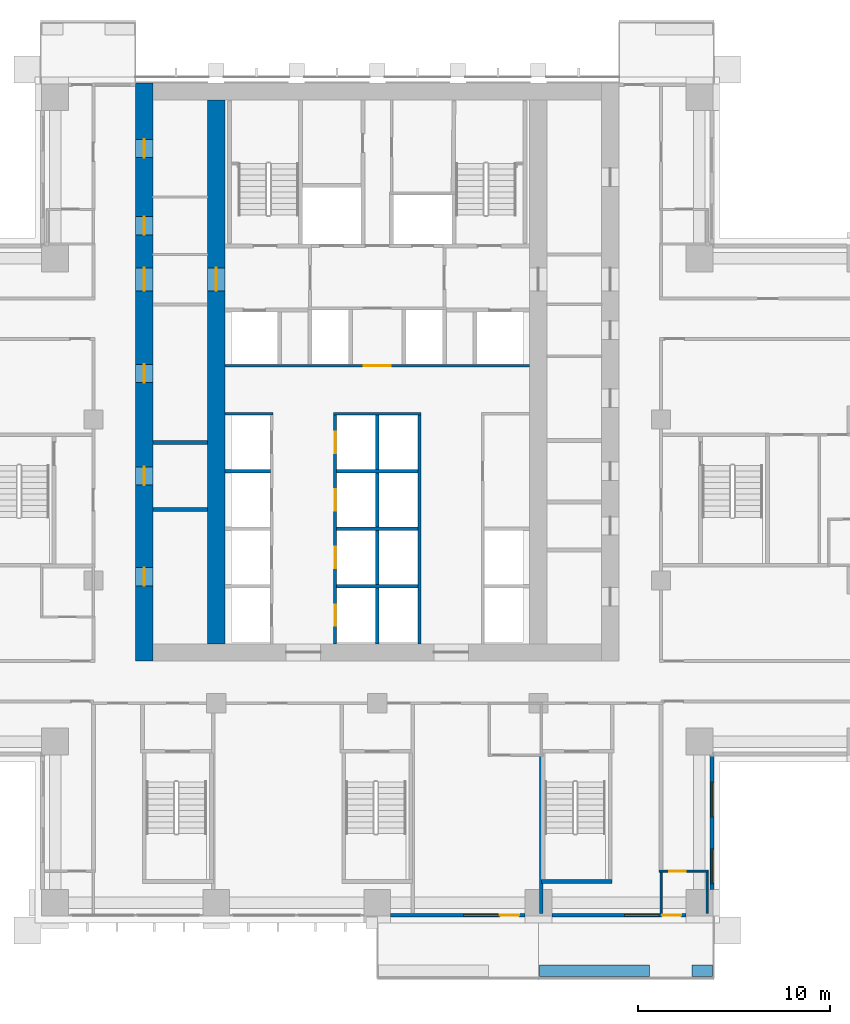
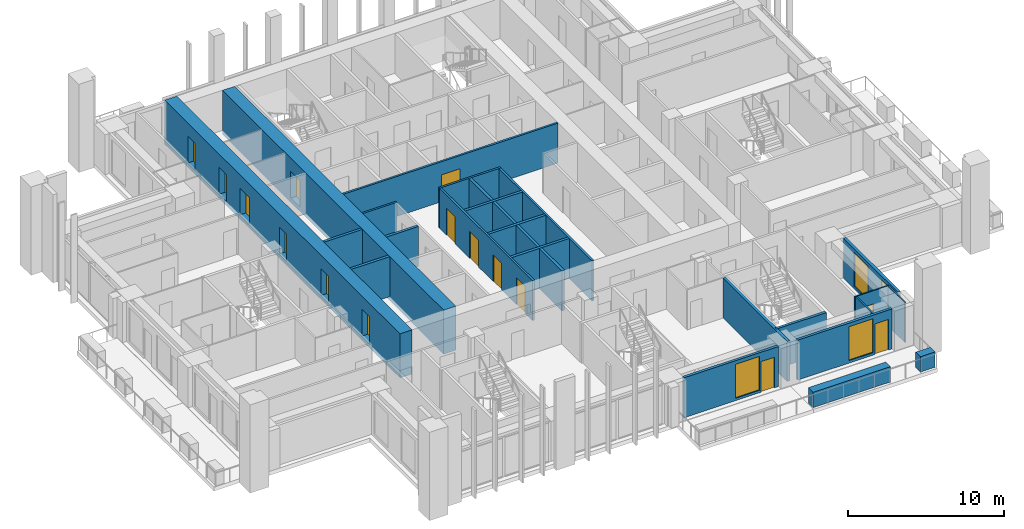
# One storey, part 10 of 19: 24 walls, 15 doors, 4 windows, 19 openings.
"""IFC4 building model written with IfcOpenShell, lengths in metres."""

from ifc_helpers import new_model, si_unit, direction, frame, frame_2d, origin, place, context, subcontext, project, spatial, rectangle, extrude, material, layer, layer_set, type_object, element, fill, save


model = new_model("IFC4")

# Units and contexts
model_context = context("Model", 3, precision=1e-05, world=origin(), true_north=direction((0.0, 1.0)))
body_context = subcontext(model_context, "Body", "Model", "MODEL_VIEW")
ifc_project = project(units=[si_unit("LENGTHUNIT", "METRE"), si_unit("AREAUNIT", "SQUARE_METRE"), si_unit("VOLUMEUNIT", "CUBIC_METRE"), si_unit("PLANEANGLEUNIT", "RADIAN"), si_unit("MASSUNIT", "GRAM", prefix="KILO")], contexts=[model_context])

# Site, building, storey
site_placement = place(None, origin())
site = spatial("IfcSite", under=ifc_project, at=site_placement, CompositionType="ELEMENT")
building_placement = place(site_placement, origin())
building = spatial("IfcBuilding", under=site, at=building_placement, Name="Vermilion Ogive Tower", CompositionType="ELEMENT")
storey_placement = place(building_placement, frame((0.0, 0.0, 48.300048828125)))
storey = spatial("IfcBuildingStorey", under=building, at=storey_placement, Name="L10", CompositionType="ELEMENT", Elevation=48.300048828125)

# Wall, openings, doors
ifc_material_1 = material(Name="Concrete B80", Category="concrete")
ifc_layer_1 = layer(ifc_material_1, 0.89990234375)
ifc_layer_set_1 = layer_set([ifc_layer_1], Name="Core wall 900 B80")
wall_type_1 = type_object("IfcWallType", Name="Core wall 900 B80", PredefinedType="SHEAR", material=ifc_layer_set_1)
wall_1_placement = place(storey_placement, frame((-12.14990234375, -8.39990234375, -0.320068359375), z_axis=(0.0, 0.0, 1.0), x_axis=(0.0, 1.0, 0.0)))
wall_1 = element("IfcWall", 1, at=wall_1_placement, inside=storey, type_object=wall_type_1, Name="L10-CORE-W", PredefinedType="SHEAR", context=body_context, shape_type="SweptSolid", body=[
    extrude(rectangle(XDim=30.14990234375, YDim=0.89990234375, at=frame_2d((15.074951171875, 0.0))), origin(), (0.0, 0.0, 1.0), 3.449951171875),
])
opening_1_placement = place(wall_1_placement, frame((3.925048828125, 0.0, 0.320068359375)))
opening_1 = element("IfcOpeningElement", 2, at=opening_1_placement, cuts=wall_1, Name="Opening DAD012", PredefinedType="OPENING", context=body_context, shape_type="SweptSolid", body=[
    extrude(rectangle(XDim=0.949951171875, YDim=2.10009765625, at=frame_2d((0.47509765625, 1.050048828125))), frame((0.0, 0.4599609375, 0.0), z_axis=(0.0, -1.0, 0.0), x_axis=(1.0, 0.0, 0.0)), (0.0, 0.0, 1.0), 0.919921875),
])
opening_2_placement = place(wall_1_placement, frame((9.175048828125, 0.0, 0.320068359375)))
opening_2 = element("IfcOpeningElement", 3, at=opening_2_placement, cuts=wall_1, Name="Opening DAD013", PredefinedType="OPENING", context=body_context, shape_type="SweptSolid", body=[
    extrude(rectangle(XDim=0.949951171875, YDim=2.10009765625, at=frame_2d((0.47509765625, 1.050048828125))), frame((0.0, 0.4599609375, 0.0), z_axis=(0.0, -1.0, 0.0), x_axis=(1.0, 0.0, 0.0)), (0.0, 0.0, 1.0), 0.919921875),
])
opening_3_placement = place(wall_1_placement, frame((14.52490234375, 0.0, 0.320068359375)))
opening_3 = element("IfcOpeningElement", 4, at=opening_3_placement, cuts=wall_1, Name="Opening DAD014", PredefinedType="OPENING", context=body_context, shape_type="SweptSolid", body=[
    extrude(rectangle(XDim=0.949951171875, YDim=2.10009765625, at=frame_2d((0.47509765625, 1.050048828125))), frame((0.0, 0.4599609375, 0.0), z_axis=(0.0, -1.0, 0.0), x_axis=(1.0, 0.0, 0.0)), (0.0, 0.0, 1.0), 0.919921875),
])
opening_4_placement = place(wall_1_placement, frame((22.22509765625, 0.0, 0.320068359375)))
opening_4 = element("IfcOpeningElement", 5, at=opening_4_placement, cuts=wall_1, Name="Opening DAD015", PredefinedType="OPENING", context=body_context, shape_type="SweptSolid", body=[
    extrude(rectangle(XDim=0.949951171875, YDim=2.10009765625, at=frame_2d((0.47509765625, 1.050048828125))), frame((0.0, 0.4599609375, 0.0), z_axis=(0.0, -1.0, 0.0), x_axis=(1.0, 0.0, 0.0)), (0.0, 0.0, 1.0), 0.919921875),
])
opening_5_placement = place(wall_1_placement, frame((26.25, 0.0, 0.320068359375)))
opening_5 = element("IfcOpeningElement", 6, at=opening_5_placement, cuts=wall_1, Name="Opening DAD016", PredefinedType="OPENING", context=body_context, shape_type="SweptSolid", body=[
    extrude(rectangle(XDim=0.949951171875, YDim=2.10009765625, at=frame_2d((0.47509765625, 1.050048828125))), frame((0.0, 0.4599609375, 0.0), z_axis=(0.0, -1.0, 0.0), x_axis=(1.0, 0.0, 0.0)), (0.0, 0.0, 1.0), 0.919921875),
])
opening_6_placement = place(wall_1_placement, frame((19.300048828125, 0.0, 0.320068359375)))
opening_6 = element("IfcOpeningElement", 7, at=opening_6_placement, cuts=wall_1, Name="Opening DAM003", PredefinedType="OPENING", context=body_context, shape_type="SweptSolid", body=[
    extrude(rectangle(XDim=1.199951171875, YDim=2.10009765625, at=frame_2d((0.60009765625, 1.050048828125))), frame((0.0, 0.4599609375, 0.0), z_axis=(0.0, -1.0, 0.0), x_axis=(1.0, 0.0, 0.0)), (0.0, 0.0, 1.0), 0.919921875),
])
ifc_material_2 = material(Name="Timber door leaf", Category="wood")
door_type_1 = type_object("IfcDoorType", Name="Link door 1200 x 2100 FD60S", OperationType="SINGLE_SWING_LEFT", PredefinedType="DOOR", material=ifc_material_2)
door_1_placement = place(opening_6_placement, origin())
door_1 = element("IfcDoor", 8, at=door_1_placement, inside=storey, type_object=door_type_1, Name="L10-CKW-XL", OperationType="SINGLE_SWING_LEFT", OverallHeight=2.10009765625, OverallWidth=1.199951171875, PredefinedType="DOOR", context=body_context, shape_type="SweptSolid", body=[
    extrude(rectangle(XDim=1.199951171875, YDim=2.10009765625, at=frame_2d((0.60009765625, 1.050048828125))), frame((0.0, 0.02490234375, 0.0), z_axis=(0.0, -1.0, 0.0), x_axis=(1.0, 0.0, 0.0)), (0.0, 0.0, 1.0), 0.050048828125),
])
fill(opening_6, door_1)
ifc_material_3 = material(Name="Timber door leaf", Category="wood")
door_type_2 = type_object("IfcDoorType", Name="Service door 950 x 2100 FD60", OperationType="SINGLE_SWING_LEFT", PredefinedType="DOOR", material=ifc_material_3)
door_2_placement = place(opening_1_placement, origin())
door_2 = element("IfcDoor", 9, at=door_2_placement, inside=storey, type_object=door_type_2, Name="L10-CKW-XR0", OperationType="SINGLE_SWING_LEFT", OverallHeight=2.10009765625, OverallWidth=0.949951171875, PredefinedType="DOOR", context=body_context, shape_type="SweptSolid", body=[
    extrude(rectangle(XDim=0.949951171875, YDim=2.10009765625, at=frame_2d((0.47509765625, 1.050048828125))), frame((0.0, 0.02490234375, 0.0), z_axis=(0.0, -1.0, 0.0), x_axis=(1.0, 0.0, 0.0)), (0.0, 0.0, 1.0), 0.050048828125),
])
fill(opening_1, door_2)
door_3_placement = place(opening_2_placement, origin())
door_3 = element("IfcDoor", 10, at=door_3_placement, inside=storey, type_object=door_type_2, Name="L10-CKW-XR1", OperationType="SINGLE_SWING_LEFT", OverallHeight=2.10009765625, OverallWidth=0.949951171875, PredefinedType="DOOR", context=body_context, shape_type="SweptSolid", body=[
    extrude(rectangle(XDim=0.949951171875, YDim=2.10009765625, at=frame_2d((0.47509765625, 1.050048828125))), frame((0.0, 0.02490234375, 0.0), z_axis=(0.0, -1.0, 0.0), x_axis=(1.0, 0.0, 0.0)), (0.0, 0.0, 1.0), 0.050048828125),
])
fill(opening_2, door_3)
door_4_placement = place(opening_3_placement, origin())
door_4 = element("IfcDoor", 11, at=door_4_placement, inside=storey, type_object=door_type_2, Name="L10-CKW-XR2", OperationType="SINGLE_SWING_LEFT", OverallHeight=2.10009765625, OverallWidth=0.949951171875, PredefinedType="DOOR", context=body_context, shape_type="SweptSolid", body=[
    extrude(rectangle(XDim=0.949951171875, YDim=2.10009765625, at=frame_2d((0.47509765625, 1.050048828125))), frame((0.0, 0.02490234375, 0.0), z_axis=(0.0, -1.0, 0.0), x_axis=(1.0, 0.0, 0.0)), (0.0, 0.0, 1.0), 0.050048828125),
])
fill(opening_3, door_4)
door_5_placement = place(opening_4_placement, origin())
door_5 = element("IfcDoor", 12, at=door_5_placement, inside=storey, type_object=door_type_2, Name="L10-CKW-XR3", OperationType="SINGLE_SWING_LEFT", OverallHeight=2.10009765625, OverallWidth=0.949951171875, PredefinedType="DOOR", context=body_context, shape_type="SweptSolid", body=[
    extrude(rectangle(XDim=0.949951171875, YDim=2.10009765625, at=frame_2d((0.47509765625, 1.050048828125))), frame((0.0, 0.02490234375, 0.0), z_axis=(0.0, -1.0, 0.0), x_axis=(1.0, 0.0, 0.0)), (0.0, 0.0, 1.0), 0.050048828125),
])
fill(opening_4, door_5)
door_6_placement = place(opening_5_placement, origin())
door_6 = element("IfcDoor", 13, at=door_6_placement, inside=storey, type_object=door_type_2, Name="L10-CKW-XR4", OperationType="SINGLE_SWING_LEFT", OverallHeight=2.10009765625, OverallWidth=0.949951171875, PredefinedType="DOOR", context=body_context, shape_type="SweptSolid", body=[
    extrude(rectangle(XDim=0.949951171875, YDim=2.10009765625, at=frame_2d((0.47509765625, 1.050048828125))), frame((0.0, 0.02490234375, 0.0), z_axis=(0.0, -1.0, 0.0), x_axis=(1.0, 0.0, 0.0)), (0.0, 0.0, 1.0), 0.050048828125),
])
fill(opening_5, door_6)

# Wall, opening, door
wall_2_placement = place(storey_placement, frame((-8.39990234375, -7.5, -0.320068359375), z_axis=(0.0, 0.0, 1.0), x_axis=(0.0, 1.0, 0.0)))
wall_2 = element("IfcWall", 14, at=wall_2_placement, inside=storey, type_object=wall_type_1, Name="L10-CORE-WEB1", PredefinedType="SHEAR", context=body_context, shape_type="SweptSolid", body=[
    extrude(rectangle(XDim=28.35009765625, YDim=0.89990234375, at=frame_2d((14.175048828125, 0.0))), origin(), (0.0, 0.0, 1.0), 3.449951171875),
])
opening_7_placement = place(wall_2_placement, frame((18.39990234375, 0.0, 0.320068359375)))
opening_7 = element("IfcOpeningElement", 15, at=opening_7_placement, cuts=wall_2, Name="Opening DAP003", PredefinedType="OPENING", context=body_context, shape_type="SweptSolid", body=[
    extrude(rectangle(XDim=1.199951171875, YDim=2.10009765625, at=frame_2d((0.60009765625, 1.050048828125))), frame((0.0, 0.4599609375, 0.0), z_axis=(0.0, -1.0, 0.0), x_axis=(1.0, 0.0, 0.0)), (0.0, 0.0, 1.0), 0.919921875),
])
door_7_placement = place(opening_7_placement, origin())
door_7 = element("IfcDoor", 16, at=door_7_placement, inside=storey, type_object=door_type_1, Name="L10-CKW-XW", OperationType="SINGLE_SWING_LEFT", OverallHeight=2.10009765625, OverallWidth=1.199951171875, PredefinedType="DOOR", context=body_context, shape_type="SweptSolid", body=[
    extrude(rectangle(XDim=1.199951171875, YDim=2.10009765625, at=frame_2d((0.60009765625, 1.050048828125))), frame((0.0, 0.02490234375, 0.0), z_axis=(0.0, -1.0, 0.0), x_axis=(1.0, 0.0, 0.0)), (0.0, 0.0, 1.0), 0.050048828125),
])
fill(opening_7, door_7)

ifc_material_4 = material(Name="Gypsum board partition on steel studs", Category="steel")
ifc_layer_2 = layer(ifc_material_4, 0.10009765625)
ifc_layer_set_2 = layer_set([ifc_layer_2], Name="Partition 100 bath")
wall_type_2 = type_object("IfcWallType", Name="Partition 100 bath", PredefinedType="PARTITIONING", material=ifc_layer_set_2)
wall_3_placement = place(storey_placement, frame((14.699951171875, -19.35009765625, 0.0), z_axis=(0.0, 0.0, 1.0), x_axis=(1.0, 0.0, 0.0)))
wall_3 = element("IfcWall", 17, at=wall_3_placement, inside=storey, type_object=wall_type_2, Name="L10-W-W005", PredefinedType="PARTITIONING", context=body_context, shape_type="SweptSolid", body=[
    extrude(rectangle(XDim=2.550048828125, YDim=0.10009765625, at=frame_2d((1.27490234375, 0.0))), origin(), (0.0, 0.0, 1.0), 3.1298828125),
])
opening_8_placement = place(wall_3_placement, frame((0.52490234375, 0.0, 0.0)))
opening_8 = element("IfcOpeningElement", 18, at=opening_8_placement, cuts=wall_3, Name="Opening D1G3015", PredefinedType="OPENING", context=body_context, shape_type="SweptSolid", body=[
    extrude(rectangle(XDim=0.85009765625, YDim=2.10009765625, at=frame_2d((0.425048828125, 1.050048828125))), frame((0.0, 0.06005859375, 0.0), z_axis=(0.0, -1.0, 0.0), x_axis=(1.0, 0.0, 0.0)), (0.0, 0.0, 1.0), 0.1201171875),
])
ifc_material_5 = material(Name="Timber door leaf", Category="wood")
door_type_3 = type_object("IfcDoorType", Name="Bath door 850 x 2100 FD30", OperationType="SINGLE_SWING_LEFT", PredefinedType="DOOR", material=ifc_material_5)
door_8_placement = place(opening_8_placement, origin())
door_8 = element("IfcDoor", 19, at=door_8_placement, inside=storey, type_object=door_type_3, Name="L10-D-D015", OperationType="SINGLE_SWING_RIGHT", OverallHeight=2.10009765625, OverallWidth=0.85009765625, PredefinedType="DOOR", context=body_context, shape_type="SweptSolid", body=[
    extrude(rectangle(XDim=0.85009765625, YDim=2.10009765625, at=frame_2d((0.425048828125, 1.050048828125))), frame((0.0, 0.02490234375, 0.0), z_axis=(0.0, -1.0, 0.0), x_axis=(1.0, 0.0, 0.0)), (0.0, 0.0, 1.0), 0.050048828125),
])
fill(opening_8, door_8)

# Walls
for number, where, z_axis, x_axis, name in (
    (20, (14.800048828125, -21.550048828125, 0.0), (0.0, 0.0, 1.0), (0.0, 1.0, 0.0), "L10-W-W070"),
    (21, (17.199951171875, -21.550048828125, 0.0), (0.0, 0.0, 1.0), (0.0, 1.0, 0.0), "L10-W-W077"),
):
    element("IfcWall", number, at=place(storey_placement, frame(where, z_axis=z_axis, x_axis=x_axis)), inside=storey, type_object=wall_type_2, Name=name, PredefinedType="PARTITIONING", context=body_context, shape_type="SweptSolid", body=[
        extrude(rectangle(XDim=2.150146484375, YDim=0.10009765625, at=frame_2d((1.0751953125, 0.0))), origin(), (0.0, 0.0, 1.0), 3.1298828125),
    ])
ifc_material_6 = material(Name="Gypsum board partition on steel studs", Category="steel")
ifc_layer_3 = layer(ifc_material_6, 0.14990234375)
ifc_layer_set_3 = layer_set([ifc_layer_3], Name="Partition 150 corridor")
wall_type_3 = type_object("IfcWallType", Name="Partition 150 corridor", PredefinedType="PARTITIONING", material=ifc_layer_set_3)
wall_4_placement = place(storey_placement, frame((-7.948974609375, 4.5, 0.0), z_axis=(0.0, 0.0, 1.0), x_axis=(1.0, 0.0, 0.0)))
element("IfcWall", 22, at=wall_4_placement, inside=storey, type_object=wall_type_3, Name="L10-CK-W-W009", PredefinedType="PARTITIONING", context=body_context, shape_type="SweptSolid", body=[
    extrude(rectangle(XDim=2.52392578125, YDim=0.14990234375, at=frame_2d((1.261962890625, 0.0))), origin(), (0.0, 0.0, 1.0), 3.1298828125),
])
wall_5_placement = place(storey_placement, frame((-2.27490234375, 4.5, 0.0), z_axis=(0.0, 0.0, 1.0), x_axis=(1.0, 0.0, 0.0)))
element("IfcWall", 23, at=wall_5_placement, inside=storey, type_object=wall_type_3, Name="L10-CK-W-W010", PredefinedType="PARTITIONING", context=body_context, shape_type="SweptSolid", body=[
    extrude(rectangle(XDim=4.5498046875, YDim=0.14990234375, at=frame_2d((2.27490234375, 0.0))), origin(), (0.0, 0.0, 1.0), 3.1298828125),
])

# Wall, opening, door
wall_6_placement = place(storey_placement, frame((-7.948974609375, 7.0, 0.0), z_axis=(0.0, 0.0, 1.0), x_axis=(1.0, 0.0, 0.0)))
wall_6 = element("IfcWall", 24, at=wall_6_placement, inside=storey, type_object=wall_type_3, Name="L10-CK-W-W012", PredefinedType="PARTITIONING", context=body_context, shape_type="SweptSolid", body=[
    extrude(rectangle(XDim=15.89794921875, YDim=0.14990234375, at=frame_2d((7.948974609375, 0.0))), origin(), (0.0, 0.0, 1.0), 3.1298828125),
])
opening_9_placement = place(wall_6_placement, frame((7.2490234375, 0.0, 0.0)))
opening_9 = element("IfcOpeningElement", 25, at=opening_9_placement, cuts=wall_6, Name="Opening DAA048", PredefinedType="OPENING", context=body_context, shape_type="SweptSolid", body=[
    extrude(rectangle(XDim=1.39990234375, YDim=2.10009765625, at=frame_2d((0.699951171875, 1.050048828125))), frame((0.0, 0.0849609375, 0.0), z_axis=(0.0, -1.0, 0.0), x_axis=(1.0, 0.0, 0.0)), (0.0, 0.0, 1.0), 0.169921875),
])
ifc_material_7 = material(Name="Timber door leaf", Category="wood")
door_type_4 = type_object("IfcDoorType", Name="Lobby door 1400 x 2100 FD60S", OperationType="SINGLE_SWING_LEFT", PredefinedType="DOOR", material=ifc_material_7)
door_9_placement = place(opening_9_placement, origin())
door_9 = element("IfcDoor", 26, at=door_9_placement, inside=storey, type_object=door_type_4, Name="L10-CK-D-D014", OperationType="SINGLE_SWING_RIGHT", OverallHeight=2.10009765625, OverallWidth=1.39990234375, PredefinedType="DOOR", context=body_context, shape_type="SweptSolid", body=[
    extrude(rectangle(XDim=1.39990234375, YDim=2.10009765625, at=frame_2d((0.699951171875, 1.050048828125))), frame((0.0, 0.02490234375, 0.0), z_axis=(0.0, -1.0, 0.0), x_axis=(1.0, 0.0, 0.0)), (0.0, 0.0, 1.0), 0.050048828125),
])
fill(opening_9, door_9)

# Wall, openings, doors
wall_7_placement = place(storey_placement, frame((-2.199951171875, -7.4990234375, 0.0), z_axis=(0.0, 0.0, 1.0), x_axis=(0.0, 1.0, 0.0)))
wall_7 = element("IfcWall", 27, at=wall_7_placement, inside=storey, type_object=wall_type_3, Name="L10-CK-W-W026", PredefinedType="PARTITIONING", context=body_context, shape_type="SweptSolid", body=[
    extrude(rectangle(XDim=11.924072265625, YDim=0.14990234375, at=frame_2d((5.9619140625, 0.0))), origin(), (0.0, 0.0, 1.0), 3.1298828125),
])
opening_10_placement = place(wall_7_placement, frame((0.948974609375, 0.0, 0.0)))
opening_10 = element("IfcOpeningElement", 28, at=opening_10_placement, cuts=wall_7, Name="Opening DAA062", PredefinedType="OPENING", context=body_context, shape_type="SweptSolid", body=[
    extrude(rectangle(XDim=1.10009765625, YDim=2.10009765625, at=frame_2d((0.550048828125, 1.050048828125))), frame((0.0, 0.0849609375, 0.0), z_axis=(0.0, -1.0, 0.0), x_axis=(1.0, 0.0, 0.0)), (0.0, 0.0, 1.0), 0.169921875),
])
opening_11_placement = place(wall_7_placement, frame((3.948974609375, 0.0, 0.0)))
opening_11 = element("IfcOpeningElement", 29, at=opening_11_placement, cuts=wall_7, Name="Opening DAA063", PredefinedType="OPENING", context=body_context, shape_type="SweptSolid", body=[
    extrude(rectangle(XDim=1.10009765625, YDim=2.10009765625, at=frame_2d((0.550048828125, 1.050048828125))), frame((0.0, 0.0849609375, 0.0), z_axis=(0.0, -1.0, 0.0), x_axis=(1.0, 0.0, 0.0)), (0.0, 0.0, 1.0), 0.169921875),
])
opening_12_placement = place(wall_7_placement, frame((6.948974609375, 0.0, 0.0)))
opening_12 = element("IfcOpeningElement", 30, at=opening_12_placement, cuts=wall_7, Name="Opening DAA064", PredefinedType="OPENING", context=body_context, shape_type="SweptSolid", body=[
    extrude(rectangle(XDim=1.10009765625, YDim=2.10009765625, at=frame_2d((0.550048828125, 1.050048828125))), frame((0.0, 0.0849609375, 0.0), z_axis=(0.0, -1.0, 0.0), x_axis=(1.0, 0.0, 0.0)), (0.0, 0.0, 1.0), 0.169921875),
])
opening_13_placement = place(wall_7_placement, frame((9.948974609375, 0.0, 0.0)))
opening_13 = element("IfcOpeningElement", 31, at=opening_13_placement, cuts=wall_7, Name="Opening DAA065", PredefinedType="OPENING", context=body_context, shape_type="SweptSolid", body=[
    extrude(rectangle(XDim=1.10009765625, YDim=2.10009765625, at=frame_2d((0.550048828125, 1.050048828125))), frame((0.0, 0.0849609375, 0.0), z_axis=(0.0, -1.0, 0.0), x_axis=(1.0, 0.0, 0.0)), (0.0, 0.0, 1.0), 0.169921875),
])
ifc_material_8 = material(Name="Stainless steel", Category="steel")
door_type_5 = type_object("IfcDoorType", Name="Lift landing door 1100 x 2100", OperationType="SLIDING_TO_LEFT", PredefinedType="DOOR", material=ifc_material_8)
door_10_placement = place(opening_10_placement, origin())
door_10 = element("IfcDoor", 32, at=door_10_placement, inside=storey, type_object=door_type_5, Name="L10-CK-D-D005", OperationType="SLIDING_TO_RIGHT", OverallHeight=2.10009765625, OverallWidth=1.10009765625, PredefinedType="DOOR", context=body_context, shape_type="SweptSolid", body=[
    extrude(rectangle(XDim=1.10009765625, YDim=2.10009765625, at=frame_2d((0.550048828125, 1.050048828125))), frame((0.0, 0.02490234375, 0.0), z_axis=(0.0, -1.0, 0.0), x_axis=(1.0, 0.0, 0.0)), (0.0, 0.0, 1.0), 0.050048828125),
])
fill(opening_10, door_10)
door_11_placement = place(opening_11_placement, origin())
door_11 = element("IfcDoor", 33, at=door_11_placement, inside=storey, type_object=door_type_5, Name="L10-CK-D-D006", OperationType="SLIDING_TO_RIGHT", OverallHeight=2.10009765625, OverallWidth=1.10009765625, PredefinedType="DOOR", context=body_context, shape_type="SweptSolid", body=[
    extrude(rectangle(XDim=1.10009765625, YDim=2.10009765625, at=frame_2d((0.550048828125, 1.050048828125))), frame((0.0, 0.02490234375, 0.0), z_axis=(0.0, -1.0, 0.0), x_axis=(1.0, 0.0, 0.0)), (0.0, 0.0, 1.0), 0.050048828125),
])
fill(opening_11, door_11)
door_12_placement = place(opening_12_placement, origin())
door_12 = element("IfcDoor", 34, at=door_12_placement, inside=storey, type_object=door_type_5, Name="L10-CK-D-D007", OperationType="SLIDING_TO_RIGHT", OverallHeight=2.10009765625, OverallWidth=1.10009765625, PredefinedType="DOOR", context=body_context, shape_type="SweptSolid", body=[
    extrude(rectangle(XDim=1.10009765625, YDim=2.10009765625, at=frame_2d((0.550048828125, 1.050048828125))), frame((0.0, 0.02490234375, 0.0), z_axis=(0.0, -1.0, 0.0), x_axis=(1.0, 0.0, 0.0)), (0.0, 0.0, 1.0), 0.050048828125),
])
fill(opening_12, door_12)
door_13_placement = place(opening_13_placement, origin())
door_13 = element("IfcDoor", 35, at=door_13_placement, inside=storey, type_object=door_type_5, Name="L10-CK-D-D008", OperationType="SLIDING_TO_RIGHT", OverallHeight=2.10009765625, OverallWidth=1.10009765625, PredefinedType="DOOR", context=body_context, shape_type="SweptSolid", body=[
    extrude(rectangle(XDim=1.10009765625, YDim=2.10009765625, at=frame_2d((0.550048828125, 1.050048828125))), frame((0.0, 0.02490234375, 0.0), z_axis=(0.0, -1.0, 0.0), x_axis=(1.0, 0.0, 0.0)), (0.0, 0.0, 1.0), 0.050048828125),
])
fill(opening_13, door_13)

# Walls
wall_8_placement = place(storey_placement, frame((2.199951171875, -7.4990234375, 0.0), z_axis=(0.0, 0.0, 1.0), x_axis=(0.0, 1.0, 0.0)))
element("IfcWall", 36, at=wall_8_placement, inside=storey, type_object=wall_type_3, Name="L10-CK-W-W033", PredefinedType="PARTITIONING", context=body_context, shape_type="SweptSolid", body=[
    extrude(rectangle(XDim=11.924072265625, YDim=0.14990234375, at=frame_2d((5.9619140625, 0.0))), origin(), (0.0, 0.0, 1.0), 3.1298828125),
])
ifc_material_9 = material(Name="Gypsum board partition on steel studs", Category="steel")
ifc_layer_4 = layer(ifc_material_9, 0.199951171875)
ifc_layer_set_4 = layer_set([ifc_layer_4], Name="Partition 200 party")
wall_type_4 = type_object("IfcWallType", Name="Partition 200 party", PredefinedType="PARTITIONING", material=ifc_layer_set_4)
for number, where, z_axis, x_axis, name in (
    (37, (-2.125, -4.5, 0.0), (0.0, 0.0, 1.0), (1.0, 0.0, 0.0), "L10-CK-W-W002"),
    (38, (-2.125, -1.5, 0.0), (0.0, 0.0, 1.0), (1.0, 0.0, 0.0), "L10-CK-W-W005"),
):
    element("IfcWall", number, at=place(storey_placement, frame(where, z_axis=z_axis, x_axis=x_axis)), inside=storey, type_object=wall_type_4, Name=name, PredefinedType="PARTITIONING", context=body_context, shape_type="SweptSolid", body=[
        extrude(rectangle(XDim=4.25, YDim=0.199951171875, at=frame_2d((2.125, 0.0))), origin(), (0.0, 0.0, 1.0), 3.1298828125),
    ])
wall_9_placement = place(storey_placement, frame((-7.948974609375, 1.5, 0.0), z_axis=(0.0, 0.0, 1.0), x_axis=(1.0, 0.0, 0.0)))
element("IfcWall", 39, at=wall_9_placement, inside=storey, type_object=wall_type_4, Name="L10-CK-W-W007", PredefinedType="PARTITIONING", context=body_context, shape_type="SweptSolid", body=[
    extrude(rectangle(XDim=2.3740234375, YDim=0.199951171875, at=frame_2d((1.18701171875, 0.0))), origin(), (0.0, 0.0, 1.0), 3.1298828125),
])
wall_10_placement = place(storey_placement, frame((-2.125, 1.5, 0.0), z_axis=(0.0, 0.0, 1.0), x_axis=(1.0, 0.0, 0.0)))
element("IfcWall", 40, at=wall_10_placement, inside=storey, type_object=wall_type_4, Name="L10-CK-W-W008", PredefinedType="PARTITIONING", context=body_context, shape_type="SweptSolid", body=[
    extrude(rectangle(XDim=4.25, YDim=0.199951171875, at=frame_2d((2.125, 0.0))), origin(), (0.0, 0.0, 1.0), 3.1298828125),
])
wall_11_placement = place(storey_placement, frame((0.0, -7.4990234375, 0.0), z_axis=(0.0, 0.0, 1.0), x_axis=(0.0, 1.0, 0.0)))
element("IfcWall", 41, at=wall_11_placement, inside=storey, type_object=wall_type_4, Name="L10-CK-W-W029", PredefinedType="PARTITIONING", context=body_context, shape_type="SweptSolid", body=[
    extrude(rectangle(XDim=11.924072265625, YDim=0.199951171875, at=frame_2d((5.9619140625, 0.0))), origin(), (0.0, 0.0, 1.0), 3.1298828125),
])
for number, where, z_axis, x_axis, name in (
    (42, (-11.698974609375, -0.5, 0.0), (0.0, 0.0, 1.0), (1.0, 0.0, 0.0), "L10-CKW-W-W001"),
    (43, (-11.698974609375, 3.0, 0.0), (0.0, 0.0, 1.0), (1.0, 0.0, 0.0), "L10-CKW-W-W002"),
):
    element("IfcWall", number, at=place(storey_placement, frame(where, z_axis=z_axis, x_axis=x_axis)), inside=storey, type_object=wall_type_4, Name=name, PredefinedType="PARTITIONING", context=body_context, shape_type="SweptSolid", body=[
        extrude(rectangle(XDim=2.847900390625, YDim=0.199951171875, at=frame_2d((1.423828125, 0.0))), origin(), (0.0, 0.0, 1.0), 3.1298828125),
    ])
ifc_material_10 = material(Name="Concrete B60", Category="concrete")
ifc_layer_5 = layer(ifc_material_10, 0.199951171875)
ifc_layer_set_5 = layer_set([ifc_layer_5], Name="Stair shaft wall 200 Concrete B60")
wall_type_5 = type_object("IfcWallType", Name="Stair shaft wall 200 Concrete B60", PredefinedType="SOLIDWALL", material=ifc_layer_set_5)
wall_12_placement = place(storey_placement, frame((8.552001953125, -19.89990234375, 0.0), z_axis=(0.0, 0.0, 1.0), x_axis=(1.0, 0.0, 0.0)))
element("IfcWall", 44, at=wall_12_placement, inside=storey, type_object=wall_type_5, Name="L10-W-W003", PredefinedType="SOLIDWALL", context=body_context, shape_type="SweptSolid", body=[
    extrude(rectangle(XDim=3.696044921875, YDim=0.199951171875, at=frame_2d((1.84814453125, 0.0))), origin(), (0.0, 0.0, 1.0), 3.1298828125),
])
wall_13_placement = place(storey_placement, frame((8.550048828125, -21.550048828125, 0.0), z_axis=(0.0, 0.0, 1.0), x_axis=(0.0, 1.0, 0.0)))
element("IfcWall", 45, at=wall_13_placement, inside=storey, type_object=wall_type_5, Name="L10-W-W065-A", PredefinedType="SOLIDWALL", context=body_context, shape_type="SweptSolid", body=[
    extrude(rectangle(XDim=8.199951171875, YDim=0.199951171875, at=frame_2d((4.10009765625, 0.0))), origin(), (0.0, 0.0, 1.0), 3.1298828125),
])
ifc_material_11 = material(Name="Concrete B40", Category="concrete")
ifc_layer_6 = layer(ifc_material_11, 0.60009765625)
ifc_layer_set_6 = layer_set([ifc_layer_6], Name="Structural planter")
wall_type_6 = type_object("IfcWallType", Name="Structural planter", PredefinedType="USERDEFINED", material=ifc_layer_set_6)
wall_14_placement = place(storey_placement, frame((8.4599609375, -24.550048828125, -0.0400390625), z_axis=(0.0, 0.0, 1.0), x_axis=(1.0, 0.0, 0.0)))
element("IfcWall", 46, at=wall_14_placement, inside=storey, type_object=wall_type_6, Name="Planter S04A1", ObjectType="PLANTER", PredefinedType="USERDEFINED", context=body_context, shape_type="SweptSolid", body=[
    extrude(rectangle(XDim=5.739990234375, YDim=0.60009765625, at=frame_2d((2.8701171875, 0.0))), origin(), (0.0, 0.0, 1.0), 1.199951171875),
])
wall_15_placement = place(storey_placement, frame((16.39990234375, -24.550048828125, -0.0400390625), z_axis=(0.0, 0.0, 1.0), x_axis=(1.0, 0.0, 0.0)))
element("IfcWall", 47, at=wall_15_placement, inside=storey, type_object=wall_type_6, Name="Planter S04A2", ObjectType="PLANTER", PredefinedType="USERDEFINED", context=body_context, shape_type="SweptSolid", body=[
    extrude(rectangle(XDim=1.090087890625, YDim=0.60009765625, at=frame_2d((0.544921875, 0.0))), origin(), (0.0, 0.0, 1.0), 1.199951171875),
])

# Wall, openings, door, window
ifc_material_12 = material(Name="Aluminium window wall framing", Category="aluminium")
ifc_layer_7 = layer(ifc_material_12, 0.199951171875)
ifc_layer_set_7 = layer_set([ifc_layer_7], Name="Window wall")
wall_type_7 = type_object("IfcWallType", Name="Window wall", PredefinedType="STANDARD", material=ifc_layer_set_7)
wall_16_placement = place(storey_placement, frame((0.699951171875, -21.64990234375, 0.0), z_axis=(0.0, 0.0, 1.0), x_axis=(1.0, 0.0, 0.0)))
wall_16 = element("IfcWall", 48, at=wall_16_placement, inside=storey, type_object=wall_type_7, Name="Window wall S3", PredefinedType="STANDARD", context=body_context, shape_type="SweptSolid", body=[
    extrude(rectangle(XDim=7.0, YDim=0.199951171875, at=frame_2d((3.5, 0.0))), origin(), (0.0, 0.0, 1.0), 3.1298828125),
])
opening_14_placement = place(wall_16_placement, frame((3.800048828125, 0.0, 0.199951171875)))
opening_14 = element("IfcOpeningElement", 49, at=opening_14_placement, cuts=wall_16, Name="Opening W1-S01", PredefinedType="OPENING", context=body_context, shape_type="SweptSolid", body=[
    extrude(rectangle(XDim=1.800048828125, YDim=2.64990234375, at=frame_2d((0.89990234375, 1.324951171875))), frame((0.0, 0.10986328125, 0.0), z_axis=(0.0, -1.0, 0.0), x_axis=(1.0, 0.0, 0.0)), (0.0, 0.0, 1.0), 0.219970703125),
])
opening_15_placement = place(wall_16_placement, frame((5.699951171875, 0.0, 0.0)))
opening_15 = element("IfcOpeningElement", 50, at=opening_15_placement, cuts=wall_16, Name="Opening D1-S01", PredefinedType="OPENING", context=body_context, shape_type="SweptSolid", body=[
    extrude(rectangle(XDim=1.0, YDim=2.39990234375, at=frame_2d((0.5, 1.199951171875))), frame((0.0, 0.10986328125, 0.0), z_axis=(0.0, -1.0, 0.0), x_axis=(1.0, 0.0, 0.0)), (0.0, 0.0, 1.0), 0.219970703125),
])
ifc_material_13 = material(Name="Aluminium framed glazed door", Category="aluminium")
door_type_6 = type_object("IfcDoorType", Name="Balcony door D1", OperationType="SINGLE_SWING_LEFT", PredefinedType="DOOR", material=ifc_material_13)
door_14_placement = place(opening_15_placement, origin())
door_14 = element("IfcDoor", 51, at=door_14_placement, inside=storey, type_object=door_type_6, Name="Balcony door S01", OperationType="SINGLE_SWING_LEFT", OverallHeight=2.39990234375, OverallWidth=1.0, PredefinedType="DOOR", context=body_context, shape_type="SweptSolid", body=[
    extrude(rectangle(XDim=1.0, YDim=2.39990234375, at=frame_2d((0.5, 1.199951171875))), frame((0.0, 0.02490234375, 0.0), z_axis=(0.0, -1.0, 0.0), x_axis=(1.0, 0.0, 0.0)), (0.0, 0.0, 1.0), 0.050048828125),
])
fill(opening_15, door_14)
ifc_material_14 = material(Name="Aluminium framed double glazing", Category="aluminium")
window_type = type_object("IfcWindowType", Name="Guest window W1", PartitioningType="SINGLE_PANEL", PredefinedType="WINDOW", material=ifc_material_14)
window_1_placement = place(opening_14_placement, origin())
window_1 = element("IfcWindow", 52, at=window_1_placement, inside=storey, type_object=window_type, Name="Window S01", OverallHeight=2.64990234375, OverallWidth=1.800048828125, PartitioningType="SINGLE_PANEL", PredefinedType="WINDOW", context=body_context, shape_type="SweptSolid", body=[
    extrude(rectangle(XDim=1.800048828125, YDim=2.64990234375, at=frame_2d((0.89990234375, 1.324951171875))), frame((0.0, 0.030029296875, 0.0), z_axis=(0.0, -1.0, 0.0), x_axis=(1.0, 0.0, 0.0)), (0.0, 0.0, 1.0), 0.06005859375),
])
fill(opening_14, window_1)

wall_17_placement = place(storey_placement, frame((9.10009765625, -21.64990234375, 0.0), z_axis=(0.0, 0.0, 1.0), x_axis=(1.0, 0.0, 0.0)))
wall_17 = element("IfcWall", 53, at=wall_17_placement, inside=storey, type_object=wall_type_7, Name="Window wall S4", PredefinedType="STANDARD", context=body_context, shape_type="SweptSolid", body=[
    extrude(rectangle(XDim=7.0, YDim=0.199951171875, at=frame_2d((3.5, 0.0))), origin(), (0.0, 0.0, 1.0), 3.1298828125),
])
opening_16_placement = place(wall_17_placement, frame((3.800048828125, 0.0, 0.199951171875)))
opening_16 = element("IfcOpeningElement", 54, at=opening_16_placement, cuts=wall_17, Name="Opening W1-S03", PredefinedType="OPENING", context=body_context, shape_type="SweptSolid", body=[
    extrude(rectangle(XDim=1.800048828125, YDim=2.64990234375, at=frame_2d((0.89990234375, 1.324951171875))), frame((0.0, 0.10986328125, 0.0), z_axis=(0.0, -1.0, 0.0), x_axis=(1.0, 0.0, 0.0)), (0.0, 0.0, 1.0), 0.219970703125),
])
opening_17_placement = place(wall_17_placement, frame((5.75, 0.0, 0.0)))
opening_17 = element("IfcOpeningElement", 55, at=opening_17_placement, cuts=wall_17, Name="Opening D1-S03", PredefinedType="OPENING", context=body_context, shape_type="SweptSolid", body=[
    extrude(rectangle(XDim=1.0, YDim=2.39990234375, at=frame_2d((0.5, 1.199951171875))), frame((0.0, 0.10986328125, 0.0), z_axis=(0.0, -1.0, 0.0), x_axis=(1.0, 0.0, 0.0)), (0.0, 0.0, 1.0), 0.219970703125),
])
door_15_placement = place(opening_17_placement, origin())
door_15 = element("IfcDoor", 56, at=door_15_placement, inside=storey, type_object=door_type_6, Name="Balcony door S03", OperationType="SINGLE_SWING_LEFT", OverallHeight=2.39990234375, OverallWidth=1.0, PredefinedType="DOOR", context=body_context, shape_type="SweptSolid", body=[
    extrude(rectangle(XDim=1.0, YDim=2.39990234375, at=frame_2d((0.5, 1.199951171875))), frame((0.0, 0.02490234375, 0.0), z_axis=(0.0, -1.0, 0.0), x_axis=(1.0, 0.0, 0.0)), (0.0, 0.0, 1.0), 0.050048828125),
])
fill(opening_17, door_15)
window_2_placement = place(opening_16_placement, origin())
window_2 = element("IfcWindow", 57, at=window_2_placement, inside=storey, type_object=window_type, Name="Window S03", OverallHeight=2.64990234375, OverallWidth=1.800048828125, PartitioningType="SINGLE_PANEL", PredefinedType="WINDOW", context=body_context, shape_type="SweptSolid", body=[
    extrude(rectangle(XDim=1.800048828125, YDim=2.64990234375, at=frame_2d((0.89990234375, 1.324951171875))), frame((0.0, 0.030029296875, 0.0), z_axis=(0.0, -1.0, 0.0), x_axis=(1.0, 0.0, 0.0)), (0.0, 0.0, 1.0), 0.06005859375),
])
fill(opening_16, window_2)

# Wall, openings, windows
wall_18_placement = place(storey_placement, frame((17.449951171875, -20.300048828125, 0.0), z_axis=(0.0, 0.0, 1.0), x_axis=(0.0, 1.0, 0.0)))
wall_18 = element("IfcWall", 58, at=wall_18_placement, inside=storey, type_object=wall_type_7, Name="Window wall X11", PredefinedType="STANDARD", context=body_context, shape_type="SweptSolid", body=[
    extrude(rectangle(XDim=6.949951171875, YDim=0.199951171875, at=frame_2d((3.47509765625, 0.0))), origin(), (0.0, 0.0, 1.0), 3.1298828125),
])
opening_18_placement = place(wall_18_placement, frame((0.300048828125, 0.0, 0.199951171875)))
opening_18 = element("IfcOpeningElement", 59, at=opening_18_placement, cuts=wall_18, Name="Opening W1-X195", PredefinedType="OPENING", context=body_context, shape_type="SweptSolid", body=[
    extrude(rectangle(XDim=1.800048828125, YDim=2.64990234375, at=frame_2d((0.89990234375, 1.324951171875))), frame((0.0, 0.10986328125, 0.0), z_axis=(0.0, -1.0, 0.0), x_axis=(1.0, 0.0, 0.0)), (0.0, 0.0, 1.0), 0.219970703125),
])
opening_19_placement = place(wall_18_placement, frame((3.77490234375, 0.0, 0.199951171875)))
opening_19 = element("IfcOpeningElement", 60, at=opening_19_placement, cuts=wall_18, Name="Opening W1-X196", PredefinedType="OPENING", context=body_context, shape_type="SweptSolid", body=[
    extrude(rectangle(XDim=1.800048828125, YDim=2.64990234375, at=frame_2d((0.89990234375, 1.324951171875))), frame((0.0, 0.10986328125, 0.0), z_axis=(0.0, -1.0, 0.0), x_axis=(1.0, 0.0, 0.0)), (0.0, 0.0, 1.0), 0.219970703125),
])
window_3_placement = place(opening_18_placement, origin())
window_3 = element("IfcWindow", 61, at=window_3_placement, inside=storey, type_object=window_type, Name="Window X195", OverallHeight=2.64990234375, OverallWidth=1.800048828125, PartitioningType="SINGLE_PANEL", PredefinedType="WINDOW", context=body_context, shape_type="SweptSolid", body=[
    extrude(rectangle(XDim=1.800048828125, YDim=2.64990234375, at=frame_2d((0.89990234375, 1.324951171875))), frame((0.0, 0.030029296875, 0.0), z_axis=(0.0, -1.0, 0.0), x_axis=(1.0, 0.0, 0.0)), (0.0, 0.0, 1.0), 0.06005859375),
])
fill(opening_18, window_3)
window_4_placement = place(opening_19_placement, origin())
window_4 = element("IfcWindow", 62, at=window_4_placement, inside=storey, type_object=window_type, Name="Window X196", OverallHeight=2.64990234375, OverallWidth=1.800048828125, PartitioningType="SINGLE_PANEL", PredefinedType="WINDOW", context=body_context, shape_type="SweptSolid", body=[
    extrude(rectangle(XDim=1.800048828125, YDim=2.64990234375, at=frame_2d((0.89990234375, 1.324951171875))), frame((0.0, 0.030029296875, 0.0), z_axis=(0.0, -1.0, 0.0), x_axis=(1.0, 0.0, 0.0)), (0.0, 0.0, 1.0), 0.06005859375),
])
fill(opening_19, window_4)

save(model, "model.ifc")
